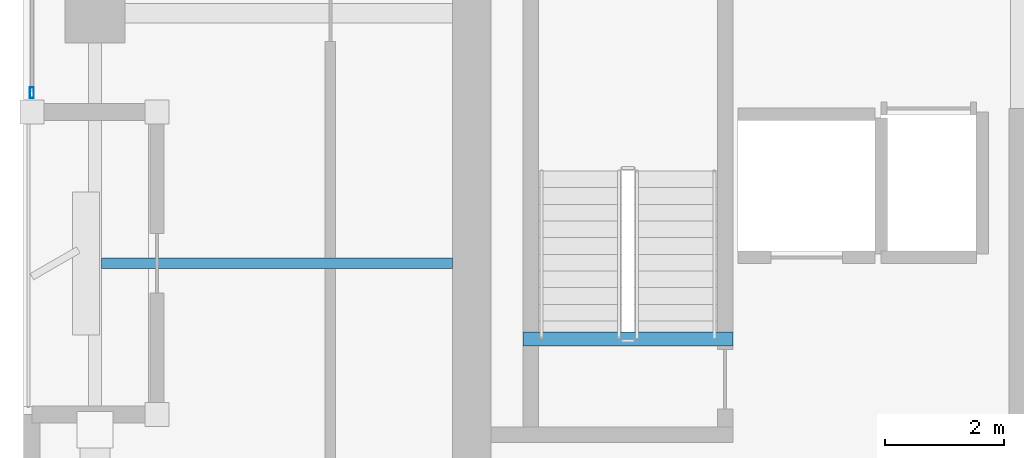
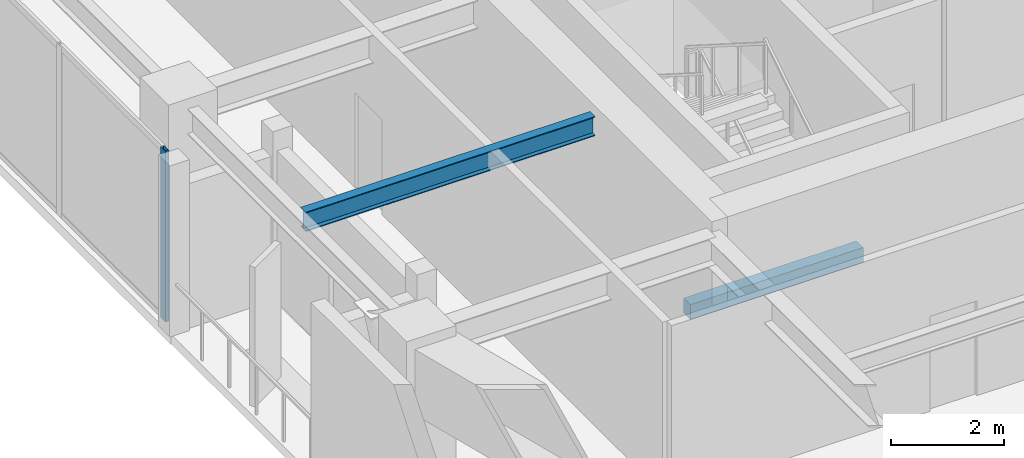
# One storey, part 2 of 21: 2 beams, 1 member, 1 element without a shape of its own.
"""IFC4 building model written with IfcOpenShell, lengths in metres."""

from ifc_helpers import new_model, si_unit, direction, frame, origin, origin_2d, place, context, subcontext, project, spatial, rectangle, hollow_rectangle, i_section, extrude, material, layer, layer_set, material_profile, profile_set, type_object, element, aggregate, save


model = new_model("IFC4")

# Units and contexts
model_context = context("Model", 3, precision=1e-05, world=origin(), true_north=direction((0.0, 1.0)))
body_context = subcontext(model_context, "Body", "Model", "MODEL_VIEW")
ifc_project = project(units=[si_unit("LENGTHUNIT", "METRE"), si_unit("AREAUNIT", "SQUARE_METRE"), si_unit("VOLUMEUNIT", "CUBIC_METRE"), si_unit("PLANEANGLEUNIT", "RADIAN"), si_unit("MASSUNIT", "GRAM", prefix="KILO")], contexts=[model_context])

# Site, building, storey
site_placement = place(None, origin())
site = spatial("IfcSite", under=ifc_project, at=site_placement, CompositionType="ELEMENT")
building_placement = place(site_placement, origin())
building = spatial("IfcBuilding", under=site, at=building_placement, Name="Kiyonajd Concourse Tower", CompositionType="ELEMENT")
storey_placement = place(building_placement, frame((0.0, 0.0, 234.89990234375)))
storey = spatial("IfcBuildingStorey", under=building, at=storey_placement, Name="L59", CompositionType="ELEMENT", Elevation=234.89990234375)

# Beams
ifc_material_1 = material(Name="Steel ASTM A992 Grade 50", Category="steel")
ifc_material_profile_1 = material_profile(ifc_material_1, i_section(OverallWidth=0.180908203125, OverallDepth=0.4169921875, WebThickness=0.010986328125, FlangeThickness=0.018310546875, at=origin_2d()), Name="W410X85")
ifc_profile_set_1 = profile_set([ifc_material_profile_1], Name="Steel ASTM A992 Grade 50")
beam_type_1 = type_object("IfcBeamType", Name="BM-JST-410", PredefinedType="JOIST", material=ifc_profile_set_1)
beam_1_placement = place(storey_placement, frame((26.507080078125, 31.800048828125, 3.4716796875), z_axis=(1.0, 0.0, 0.0), x_axis=(0.0, 1.0, 0.0)))
element("IfcBeam", 1, at=beam_1_placement, inside=storey, type_object=beam_type_1, Name="L59 West Secondary Floor Joist", PredefinedType="JOIST", context=body_context, shape_type="SweptSolid", body=[
    extrude(i_section(OverallWidth=0.180908203125, OverallDepth=0.4169921875, WebThickness=0.010986328125, FlangeThickness=0.018310546875, at=origin_2d()), origin(), (0.0, 0.0, 1.0), 5.892822265625),
])
ifc_material_2 = material(Name="Concrete C50/60", Category="concrete")
ifc_material_profile_2 = material_profile(ifc_material_2, rectangle(XDim=0.239990234375, YDim=0.320068359375, at=origin_2d()), Name="RCBM-240x320")
ifc_profile_set_2 = profile_set([ifc_material_profile_2], Name="Concrete C50/60")
beam_type_2 = type_object("IfcBeamType", Name="BM-LNT-250", PredefinedType="LINTEL", material=ifc_profile_set_2)
beam_2_placement = place(storey_placement, frame((33.590087890625, 30.530029296875, -0.159912109375), z_axis=(1.0, 0.0, 0.0), x_axis=(0.0, 1.0, 0.0)))
element("IfcBeam", 2, at=beam_2_placement, inside=storey, type_object=beam_type_2, Name="L59 Stair ST1 Threshold Support Beam", PredefinedType="LINTEL", context=body_context, shape_type="SweptSolid", body=[
    extrude(rectangle(XDim=0.239990234375, YDim=0.320068359375, at=origin_2d()), origin(), (0.0, 0.0, 1.0), 3.52001953125),
])

# Curtain wall, member
ifc_material_3 = material(Name="Thermally Broken Anodised Aluminium", Category="aluminium")
ifc_layer = layer(ifc_material_3, 0.179931640625)
ifc_layer_set = layer_set([ifc_layer], Name="Thermally Broken Anodised Aluminium")
curtain_wall_type = type_object("IfcCurtainWallType", Name="CW-SYS-04", PredefinedType="NOTDEFINED", material=ifc_layer_set)
curtain_wall_placement = place(storey_placement, origin())
curtain_wall = element("IfcCurtainWall", 3, at=curtain_wall_placement, inside=storey, type_object=curtain_wall_type, Name="L59 Unitised Curtain Wall CW4", PredefinedType="NOTDEFINED")
ifc_material_profile_3 = material_profile(ifc_material_3, hollow_rectangle(XDim=0.06494140625, YDim=0.179931640625, WallThickness=0.00390625, at=origin_2d()), Name="MULL-65x180")
ifc_profile_set_3 = profile_set([ifc_material_profile_3], Name="Thermally Broken Anodised Aluminium")
member_type = type_object("IfcMemberType", Name="MB-CW-MULL1", PredefinedType="MULLION", material=ifc_profile_set_3)
member_placement = place(storey_placement, frame((25.340087890625, 34.66259765625, 0.0), z_axis=(0.0, 0.0, 1.0), x_axis=(-1.0, 0.0, 0.0)))
member = element("IfcMember", 4, at=member_placement, type_object=member_type, Name="CW4 mullion 1", PredefinedType="MULLION", context=body_context, shape_type="SweptSolid", body=[
    extrude(hollow_rectangle(XDim=0.06494140625, YDim=0.179931640625, WallThickness=0.00390625, at=origin_2d()), origin(), (0.0, 0.0, 1.0), 3.68017578125),
])
aggregate(curtain_wall, [member])

save(model, "model.ifc")
